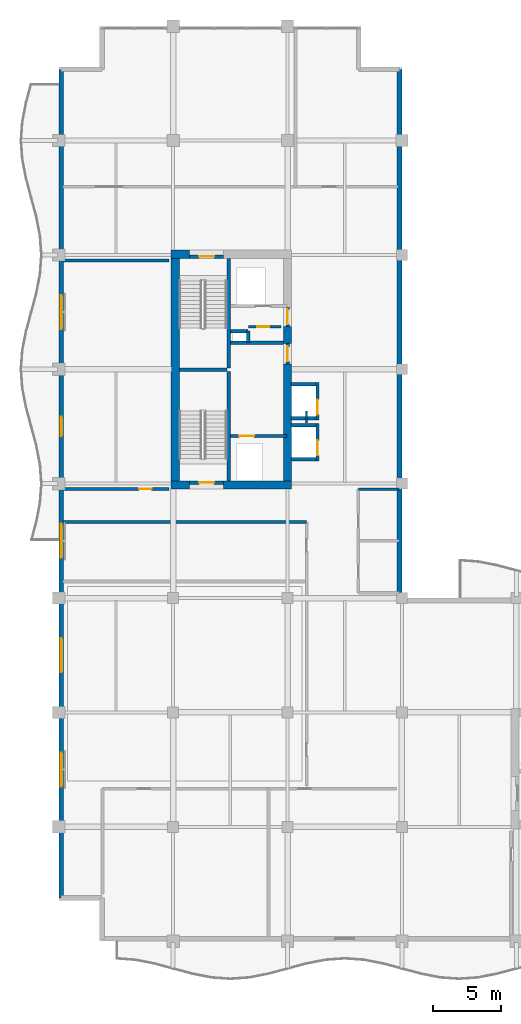
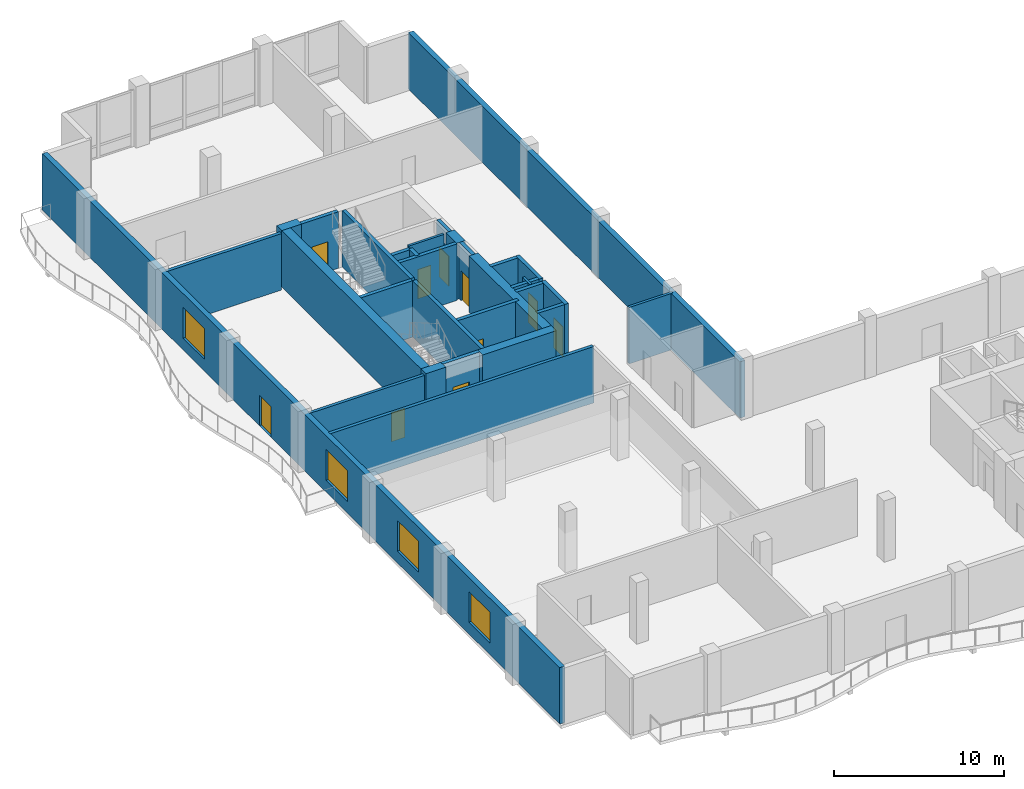
# One storey, part 10 of 15: 31 walls, 10 doors, 4 windows, 14 openings.
"""IFC4 building model written with IfcOpenShell, lengths in metres."""

from ifc_helpers import new_model, si_unit, direction, frame, frame_2d, origin, place, context, subcontext, project, spatial, rectangle, extrude, material, layer, layer_set, type_object, element, fill, save


model = new_model("IFC4")

# Units and contexts
model_context = context("Model", 3, precision=1e-05, world=origin(), true_north=direction((0.0, 1.0)))
body_context = subcontext(model_context, "Body", "Model", "MODEL_VIEW")
ifc_project = project(units=[si_unit("LENGTHUNIT", "METRE"), si_unit("AREAUNIT", "SQUARE_METRE"), si_unit("VOLUMEUNIT", "CUBIC_METRE"), si_unit("PLANEANGLEUNIT", "RADIAN"), si_unit("MASSUNIT", "GRAM", prefix="KILO")], contexts=[model_context])

# Site, building, storey
site_placement = place(None, origin())
site = spatial("IfcSite", under=ifc_project, at=site_placement, CompositionType="ELEMENT")
building_placement = place(site_placement, origin())
building = spatial("IfcBuilding", under=site, at=building_placement, Name="Koriwani Terraces Tower", CompositionType="ELEMENT")
storey_placement = place(building_placement, frame((0.0, 0.0, 290.39990234375)))
storey = spatial("IfcBuildingStorey", under=building, at=storey_placement, Name="L72", CompositionType="ELEMENT", Elevation=290.39990234375)

# Walls
ifc_material_1 = material(Name="Concrete C60/75", Category="concrete")
ifc_layer_1 = layer(ifc_material_1, 0.60009765625, Name="Concrete C60/75")
ifc_layer_set_1 = layer_set([ifc_layer_1], Name="Concrete C60/75")
wall_type_1 = type_object("IfcWallType", Name="WALL_CORE_RC_600", PredefinedType="SHEAR", material=ifc_layer_set_1)
wall_1_placement = place(storey_placement, frame((16.64990234375, 41.89990234375, 0.0), z_axis=(0.0, 0.0, 1.0), x_axis=(1.0, 0.0, 0.0)))
element("IfcWall", 1, at=wall_1_placement, inside=storey, type_object=wall_type_1, Name="L72 West Split Core Shear Wall S1", PredefinedType="SHEAR", context=body_context, shape_type="SweptSolid", body=[
    extrude(rectangle(XDim=1.35009765625, YDim=0.60009765625, at=frame_2d((0.675048828125, 0.0))), origin(), (0.0, 0.0, 1.0), 4.050048828125),
])
wall_2_placement = place(storey_placement, frame((20.5, 41.89990234375, 0.0), z_axis=(0.0, 0.0, 1.0), x_axis=(1.0, 0.0, 0.0)))
element("IfcWall", 2, at=wall_2_placement, inside=storey, type_object=wall_type_1, Name="L72 West Split Core Shear Wall S2", PredefinedType="SHEAR", context=body_context, shape_type="SweptSolid", body=[
    extrude(rectangle(XDim=5.0, YDim=0.60009765625, at=frame_2d((2.5, 0.0))), origin(), (0.0, 0.0, 1.0), 4.050048828125),
])
wall_3_placement = place(storey_placement, frame((16.64990234375, 58.85009765625, 0.0), z_axis=(0.0, 0.0, 1.0), x_axis=(1.0, 0.0, 0.0)))
element("IfcWall", 3, at=wall_3_placement, inside=storey, type_object=wall_type_1, Name="L72 West Split Core Shear Wall N1", PredefinedType="SHEAR", context=body_context, shape_type="SweptSolid", body=[
    extrude(rectangle(XDim=1.35009765625, YDim=0.60009765625, at=frame_2d((0.675048828125, 0.0))), origin(), (0.0, 0.0, 1.0), 4.050048828125),
])
wall_4_placement = place(storey_placement, frame((16.949951171875, 42.199951171875, 0.0), z_axis=(0.0, 0.0, 1.0), x_axis=(0.0, 1.0, 0.0)))
element("IfcWall", 4, at=wall_4_placement, inside=storey, type_object=wall_type_1, Name="L72 West Split Core Shear Wall W1", PredefinedType="SHEAR", context=body_context, shape_type="SweptSolid", body=[
    extrude(rectangle(XDim=16.35009765625, YDim=0.60009765625, at=frame_2d((8.175048828125, 0.0))), origin(), (0.0, 0.0, 1.0), 4.050048828125),
])
wall_5_placement = place(storey_placement, frame((25.199951171875, 42.199951171875, 0.0), z_axis=(0.0, 0.0, 1.0), x_axis=(0.0, 1.0, 0.0)))
element("IfcWall", 5, at=wall_5_placement, inside=storey, type_object=wall_type_1, Name="L72 West Split Core Shear Wall E1", PredefinedType="SHEAR", context=body_context, shape_type="SweptSolid", body=[
    extrude(rectangle(XDim=8.60009765625, YDim=0.60009765625, at=frame_2d((4.300048828125, 0.0))), origin(), (0.0, 0.0, 1.0), 4.050048828125),
])
wall_6_placement = place(storey_placement, frame((25.199951171875, 52.280029296875, 0.0), z_axis=(0.0, 0.0, 1.0), x_axis=(0.0, 1.0, 0.0)))
element("IfcWall", 6, at=wall_6_placement, inside=storey, type_object=wall_type_1, Name="L72 West Split Core Shear Wall E2", PredefinedType="SHEAR", context=body_context, shape_type="SweptSolid", body=[
    extrude(rectangle(XDim=1.27001953125, YDim=0.60009765625, at=frame_2d((0.635009765625, 0.0))), origin(), (0.0, 0.0, 1.0), 4.050048828125),
])

# Wall, opening, door
ifc_material_2 = material(Name="Autoclaved Cellular Concrete Blockwork", Category="masonry")
ifc_layer_2 = layer(ifc_material_2, 0.199951171875, Name="Autoclaved Cellular Concrete Blockwork")
ifc_layer_set_2 = layer_set([ifc_layer_2], Name="Autoclaved Cellular Concrete Blockwork")
wall_type_2 = type_object("IfcWallType", Name="WALL_CORRIDOR_200", PredefinedType="PARTITIONING", material=ifc_layer_set_2)
wall_7_placement = place(storey_placement, frame((8.699951171875, 41.60009765625, 0.0), z_axis=(0.0, 0.0, 1.0), x_axis=(1.0, 0.0, 0.0)))
wall_7 = element("IfcWall", 7, at=wall_7_placement, inside=storey, type_object=wall_type_2, Name="L72 Interior Wall WSKY-RECW1-L72", PredefinedType="PARTITIONING", context=body_context, shape_type="SweptSolid", body=[
    extrude(rectangle(XDim=7.800048828125, YDim=0.199951171875, at=frame_2d((3.89990234375, 0.0))), origin(), (0.0, 0.0, 1.0), 4.050048828125),
])
opening_1_placement = place(wall_7_placement, frame((5.60009765625, 0.0, 0.0)))
opening_1 = element("IfcOpeningElement", 8, at=opening_1_placement, cuts=wall_7, Name="Opening D-06", PredefinedType="OPENING", context=body_context, shape_type="SweptSolid", body=[
    extrude(rectangle(XDim=0.919921875, YDim=2.10009765625, at=frame_2d((0.4599609375, 1.050048828125))), frame((0.0, 0.10986328125, 0.0), z_axis=(0.0, -1.0, 0.0), x_axis=(1.0, 0.0, 0.0)), (0.0, 0.0, 1.0), 0.219970703125),
])
ifc_material_3 = material(Name="Architectural Oak Fire Door", Category="wood")
door_type_1 = type_object("IfcDoorType", Name="DOOR_ROOM_INT_920X2100", OperationType="NOTDEFINED", PredefinedType="DOOR", material=ifc_material_3)
door_1_placement = place(opening_1_placement, origin())
door_1 = element("IfcDoor", 9, at=door_1_placement, inside=storey, type_object=door_type_1, Name="L72 Private Summit Boardroom Door", OperationType="SINGLE_SWING_RIGHT", OverallHeight=2.10009765625, OverallWidth=0.919921875, PredefinedType="DOOR", context=body_context, shape_type="SweptSolid", body=[
    extrude(rectangle(XDim=0.919921875, YDim=2.10009765625, at=frame_2d((0.4599609375, 1.050048828125))), frame((0.0, 0.02490234375, 0.0), z_axis=(0.0, -1.0, 0.0), x_axis=(1.0, 0.0, 0.0)), (0.0, 0.0, 1.0), 0.050048828125),
])
fill(opening_1, door_1)

# Walls
ifc_layer_3 = layer(ifc_material_2, 0.219970703125, Name="Autoclaved Cellular Concrete Blockwork")
ifc_layer_set_3 = layer_set([ifc_layer_3], Name="Autoclaved Cellular Concrete Blockwork")
wall_type_3 = type_object("IfcWallType", Name="WALL_DEMISING_220", PredefinedType="PARTITIONING", material=ifc_layer_set_3)
wall_8_placement = place(storey_placement, frame((8.699951171875, 58.39990234375, 0.0), z_axis=(0.0, 0.0, 1.0), x_axis=(1.0, 0.0, 0.0)))
element("IfcWall", 10, at=wall_8_placement, inside=storey, type_object=wall_type_3, Name="L72 Interior Wall WSKY-RECW2-L72", PredefinedType="PARTITIONING", context=body_context, shape_type="SweptSolid", body=[
    extrude(rectangle(XDim=7.800048828125, YDim=0.219970703125, at=frame_2d((3.89990234375, 0.0))), origin(), (0.0, 0.0, 1.0), 4.050048828125),
])
wall_9_placement = place(storey_placement, frame((8.699951171875, 39.199951171875, 0.0), z_axis=(0.0, 0.0, 1.0), x_axis=(1.0, 0.0, 0.0)))
element("IfcWall", 11, at=wall_9_placement, inside=storey, type_object=wall_type_3, Name="L72 Interior Wall WSKY-WMN-L72", PredefinedType="PARTITIONING", context=body_context, shape_type="SweptSolid", body=[
    extrude(rectangle(XDim=17.900146484375, YDim=0.219970703125, at=frame_2d((8.9501953125, 0.0))), origin(), (0.0, 0.0, 1.0), 4.050048828125),
])

# Wall, openings, door, windows
ifc_material_4 = material(Name="Concrete C50/60", Category="concrete")
ifc_layer_4 = layer(ifc_material_4, 0.35009765625, Name="Concrete C50/60")
ifc_layer_set_4 = layer_set([ifc_layer_4], Name="Concrete C50/60")
wall_type_4 = type_object("IfcWallType", Name="WALL_EXT_BRUTALIST_350", PredefinedType="STANDARD", material=ifc_layer_set_4)
wall_10_placement = place(storey_placement, frame((8.574951171875, 11.574951171875, 0.0), z_axis=(0.0, 0.0, 1.0), x_axis=(0.0, 1.0, 0.0)))
wall_10 = element("IfcWall", 12, at=wall_10_placement, inside=storey, type_object=wall_type_4, Name="L72 Fair-Faced Brutalist Exterior Wall (W)", PredefinedType="STANDARD", context=body_context, shape_type="SweptSolid", body=[
    extrude(rectangle(XDim=60.85009765625, YDim=0.35009765625, at=frame_2d((30.425048828125, 0.0))), origin(), (0.0, 0.0, 1.0), 4.050048828125),
])
opening_2_placement = place(wall_10_placement, frame((33.925048828125, 0.0, 0.0)))
opening_2 = element("IfcOpeningElement", 13, at=opening_2_placement, cuts=wall_10, Name="Opening D-09", PredefinedType="OPENING", context=body_context, shape_type="SweptSolid", body=[
    extrude(rectangle(XDim=1.39990234375, YDim=2.199951171875, at=frame_2d((0.699951171875, 1.10009765625))), frame((0.0, 0.18505859375, 0.0), z_axis=(0.0, -1.0, 0.0), x_axis=(1.0, 0.0, 0.0)), (0.0, 0.0, 1.0), 0.3701171875),
])
opening_3_placement = place(wall_10_placement, frame((8.175048828125, 0.0, 0.85009765625)))
opening_3 = element("IfcOpeningElement", 14, at=opening_3_placement, cuts=wall_10, Name="Opening W-07", PredefinedType="OPENING", context=body_context, shape_type="SweptSolid", body=[
    extrude(rectangle(XDim=2.5, YDim=2.199951171875, at=frame_2d((1.25, 1.10009765625))), frame((0.0, 0.18505859375, 0.0), z_axis=(0.0, -1.0, 0.0), x_axis=(1.0, 0.0, 0.0)), (0.0, 0.0, 1.0), 0.3701171875),
])
opening_4_placement = place(wall_10_placement, frame((16.574951171875, 0.0, 0.85009765625)))
opening_4 = element("IfcOpeningElement", 15, at=opening_4_placement, cuts=wall_10, Name="Opening W-07", PredefinedType="OPENING", context=body_context, shape_type="SweptSolid", body=[
    extrude(rectangle(XDim=2.5, YDim=2.199951171875, at=frame_2d((1.25, 1.10009765625))), frame((0.0, 0.18505859375, 0.0), z_axis=(0.0, -1.0, 0.0), x_axis=(1.0, 0.0, 0.0)), (0.0, 0.0, 1.0), 0.3701171875),
])
opening_5_placement = place(wall_10_placement, frame((24.97509765625, 0.0, 0.85009765625)))
opening_5 = element("IfcOpeningElement", 16, at=opening_5_placement, cuts=wall_10, Name="Opening W-07", PredefinedType="OPENING", context=body_context, shape_type="SweptSolid", body=[
    extrude(rectangle(XDim=2.5, YDim=2.199951171875, at=frame_2d((1.25, 1.10009765625))), frame((0.0, 0.18505859375, 0.0), z_axis=(0.0, -1.0, 0.0), x_axis=(1.0, 0.0, 0.0)), (0.0, 0.0, 1.0), 0.3701171875),
])
opening_6_placement = place(wall_10_placement, frame((41.77490234375, 0.0, 0.85009765625)))
opening_6 = element("IfcOpeningElement", 17, at=opening_6_placement, cuts=wall_10, Name="Opening W-07", PredefinedType="OPENING", context=body_context, shape_type="SweptSolid", body=[
    extrude(rectangle(XDim=2.5, YDim=2.199951171875, at=frame_2d((1.25, 1.10009765625))), frame((0.0, 0.18505859375, 0.0), z_axis=(0.0, -1.0, 0.0), x_axis=(1.0, 0.0, 0.0)), (0.0, 0.0, 1.0), 0.3701171875),
])
ifc_material_5 = material(Name="Anodised Bronze Aluminium", Category="aluminium")
door_type_2 = type_object("IfcDoorType", Name="DOOR_BALCONY_GLAZED_1400X2200", OperationType="NOTDEFINED", PredefinedType="DOOR", material=ifc_material_5)
door_2_placement = place(opening_2_placement, origin())
door_2 = element("IfcDoor", 18, at=door_2_placement, inside=storey, type_object=door_type_2, Name="L72 West Balcony Glazed Door", OperationType="SINGLE_SWING_LEFT", OverallHeight=2.199951171875, OverallWidth=1.39990234375, PredefinedType="DOOR", context=body_context, shape_type="SweptSolid", body=[
    extrude(rectangle(XDim=1.39990234375, YDim=2.199951171875, at=frame_2d((0.699951171875, 1.10009765625))), frame((0.0, 0.02490234375, 0.0), z_axis=(0.0, -1.0, 0.0), x_axis=(1.0, 0.0, 0.0)), (0.0, 0.0, 1.0), 0.050048828125),
])
fill(opening_2, door_2)
ifc_material_6 = material(Name="Tempered Laminated Low-E Glass", Category="glass")
window_type = type_object("IfcWindowType", Name="WIN_SKY_LOUNGE_2500X2200", PartitioningType="SINGLE_PANEL", PredefinedType="WINDOW", material=ifc_material_6)
window_1_placement = place(opening_3_placement, origin())
window_1 = element("IfcWindow", 19, at=window_1_placement, inside=storey, type_object=window_type, Name="L72 Exterior Window (W-3)", OverallHeight=2.199951171875, OverallWidth=2.5, PartitioningType="SINGLE_PANEL", PredefinedType="WINDOW", context=body_context, shape_type="SweptSolid", body=[
    extrude(rectangle(XDim=2.5, YDim=2.199951171875, at=frame_2d((1.25, 1.10009765625))), frame((0.0, 0.030029296875, 0.0), z_axis=(0.0, -1.0, 0.0), x_axis=(1.0, 0.0, 0.0)), (0.0, 0.0, 1.0), 0.06005859375),
])
fill(opening_3, window_1)
window_2_placement = place(opening_4_placement, origin())
window_2 = element("IfcWindow", 20, at=window_2_placement, inside=storey, type_object=window_type, Name="L72 Exterior Window (W-6)", OverallHeight=2.199951171875, OverallWidth=2.5, PartitioningType="SINGLE_PANEL", PredefinedType="WINDOW", context=body_context, shape_type="SweptSolid", body=[
    extrude(rectangle(XDim=2.5, YDim=2.199951171875, at=frame_2d((1.25, 1.10009765625))), frame((0.0, 0.030029296875, 0.0), z_axis=(0.0, -1.0, 0.0), x_axis=(1.0, 0.0, 0.0)), (0.0, 0.0, 1.0), 0.06005859375),
])
fill(opening_4, window_2)
window_3_placement = place(opening_5_placement, origin())
window_3 = element("IfcWindow", 21, at=window_3_placement, inside=storey, type_object=window_type, Name="L72 Exterior Window (W-9)", OverallHeight=2.199951171875, OverallWidth=2.5, PartitioningType="SINGLE_PANEL", PredefinedType="WINDOW", context=body_context, shape_type="SweptSolid", body=[
    extrude(rectangle(XDim=2.5, YDim=2.199951171875, at=frame_2d((1.25, 1.10009765625))), frame((0.0, 0.030029296875, 0.0), z_axis=(0.0, -1.0, 0.0), x_axis=(1.0, 0.0, 0.0)), (0.0, 0.0, 1.0), 0.06005859375),
])
fill(opening_5, window_3)
window_4_placement = place(opening_6_placement, origin())
window_4 = element("IfcWindow", 22, at=window_4_placement, inside=storey, type_object=window_type, Name="L72 Exterior Window (W-15)", OverallHeight=2.199951171875, OverallWidth=2.5, PartitioningType="SINGLE_PANEL", PredefinedType="WINDOW", context=body_context, shape_type="SweptSolid", body=[
    extrude(rectangle(XDim=2.5, YDim=2.199951171875, at=frame_2d((1.25, 1.10009765625))), frame((0.0, 0.030029296875, 0.0), z_axis=(0.0, -1.0, 0.0), x_axis=(1.0, 0.0, 0.0)), (0.0, 0.0, 1.0), 0.06005859375),
])
fill(opening_6, window_4)

# Walls
wall_11_placement = place(storey_placement, frame((33.425048828125, 72.425048828125, 0.0), z_axis=(0.0, 0.0, 1.0), x_axis=(0.0, -1.0, 0.0)))
element("IfcWall", 23, at=wall_11_placement, inside=storey, type_object=wall_type_4, Name="L72 Fair-Faced Brutalist Exterior Wall (NW_IN)", PredefinedType="STANDARD", context=body_context, shape_type="SweptSolid", body=[
    extrude(rectangle(XDim=39.0, YDim=0.35009765625, at=frame_2d((19.5, 0.0))), origin(), (0.0, 0.0, 1.0), 4.050048828125),
])
ifc_material_7 = material(Name="Fire-Rated Acoustic Gypsum Partition", Category="masonry")
ifc_layer_5 = layer(ifc_material_7, 0.179931640625, Name="Fire-Rated Acoustic Gypsum Partition")
ifc_layer_set_5 = layer_set([ifc_layer_5], Name="Fire-Rated Acoustic Gypsum Partition")
wall_type_5 = type_object("IfcWallType", Name="WALL_PLUMBING_180", PredefinedType="PLUMBINGWALL", material=ifc_layer_set_5)
wall_12_placement = place(storey_placement, frame((30.39990234375, 41.60009765625, 0.0), z_axis=(0.0, 0.0, 1.0), x_axis=(1.0, 0.0, 0.0)))
element("IfcWall", 24, at=wall_12_placement, inside=storey, type_object=wall_type_5, Name="L72 Interior Wall WSKY-WCN-L72", PredefinedType="PLUMBINGWALL", context=body_context, shape_type="SweptSolid", body=[
    extrude(rectangle(XDim=3.0, YDim=0.179931640625, at=frame_2d((1.5, 0.0))), origin(), (0.0, 0.0, 1.0), 4.050048828125),
])
ifc_material_8 = material(Name="Concrete C40/50", Category="concrete")
ifc_layer_6 = layer(ifc_material_8, 0.25, Name="Concrete C40/50")
ifc_layer_set_6 = layer_set([ifc_layer_6], Name="Concrete C40/50")
wall_type_6 = type_object("IfcWallType", Name="WALL_SHAFT_RATED_250", PredefinedType="SOLIDWALL", material=ifc_layer_set_6)
for number, where, z_axis, x_axis, name in (
    (25, (20.875, 42.199951171875, 0.0), (0.0, 0.0, 1.0), (0.0, 1.0, 0.0), "L72 West Split Core Web Wall MID1"),
    (26, (20.875, 50.5, 0.0), (0.0, 0.0, 1.0), (0.0, 1.0, 0.0), "L72 West Split Core Web Wall MID2"),
):
    element("IfcWall", number, at=place(storey_placement, frame(where, z_axis=z_axis, x_axis=x_axis)), inside=storey, type_object=wall_type_6, Name=name, PredefinedType="SOLIDWALL", context=body_context, shape_type="SweptSolid", body=[
        extrude(rectangle(XDim=8.050048828125, YDim=0.25, at=frame_2d((4.02490234375, 0.0))), origin(), (0.0, 0.0, 1.0), 4.050048828125),
    ])
wall_13_placement = place(storey_placement, frame((17.25, 50.375, 0.0), z_axis=(0.0, 0.0, 1.0), x_axis=(1.0, 0.0, 0.0)))
element("IfcWall", 27, at=wall_13_placement, inside=storey, type_object=wall_type_6, Name="L72 West Split Core Stair Dividing Wall", PredefinedType="SOLIDWALL", context=body_context, shape_type="SweptSolid", body=[
    extrude(rectangle(XDim=3.5, YDim=0.25, at=frame_2d((1.75, 0.0))), origin(), (0.0, 0.0, 1.0), 4.050048828125),
])

# Wall, opening, door
wall_14_placement = place(storey_placement, frame((18.0, 42.074951171875, 0.0), z_axis=(0.0, 0.0, 1.0), x_axis=(1.0, 0.0, 0.0)))
wall_14 = element("IfcWall", 28, at=wall_14_placement, inside=storey, type_object=wall_type_6, Name="L72 Interior Wall WIN-CW-L72-STS", PredefinedType="SOLIDWALL", context=body_context, shape_type="SweptSolid", body=[
    extrude(rectangle(XDim=2.5, YDim=0.25, at=frame_2d((1.25, 0.0))), origin(), (0.0, 0.0, 1.0), 4.050048828125),
])
opening_7_placement = place(wall_14_placement, frame((0.699951171875, 0.0, 0.0)))
opening_7 = element("IfcOpeningElement", 29, at=opening_7_placement, cuts=wall_14, Name="Opening D-03", PredefinedType="OPENING", context=body_context, shape_type="SweptSolid", body=[
    extrude(rectangle(XDim=1.10009765625, YDim=2.14990234375, at=frame_2d((0.550048828125, 1.074951171875))), frame((0.0, 0.135009765625, 0.0), z_axis=(0.0, -1.0, 0.0), x_axis=(1.0, 0.0, 0.0)), (0.0, 0.0, 1.0), 0.27001953125),
])
ifc_material_9 = material(Name="Steel ASTM A572 Grade 50", Category="steel")
door_type_3 = type_object("IfcDoorType", Name="DOOR_STAIR_FIRE_1100X2150", OperationType="NOTDEFINED", PredefinedType="DOOR", material=ifc_material_9)
door_3_placement = place(opening_7_placement, origin())
door_3 = element("IfcDoor", 30, at=door_3_placement, inside=storey, type_object=door_type_3, Name="L72 Exit Stair ST-W1 Door", OperationType="SINGLE_SWING_RIGHT", OverallHeight=2.14990234375, OverallWidth=1.10009765625, PredefinedType="DOOR", context=body_context, shape_type="SweptSolid", body=[
    extrude(rectangle(XDim=1.10009765625, YDim=2.14990234375, at=frame_2d((0.550048828125, 1.074951171875))), frame((0.0, 0.02490234375, 0.0), z_axis=(0.0, -1.0, 0.0), x_axis=(1.0, 0.0, 0.0)), (0.0, 0.0, 1.0), 0.050048828125),
])
fill(opening_7, door_3)

wall_15_placement = place(storey_placement, frame((18.0, 58.675048828125, 0.0), z_axis=(0.0, 0.0, 1.0), x_axis=(1.0, 0.0, 0.0)))
wall_15 = element("IfcWall", 31, at=wall_15_placement, inside=storey, type_object=wall_type_6, Name="L72 Interior Wall WIN-CW-L72-STN", PredefinedType="SOLIDWALL", context=body_context, shape_type="SweptSolid", body=[
    extrude(rectangle(XDim=2.5, YDim=0.25, at=frame_2d((1.25, 0.0))), origin(), (0.0, 0.0, 1.0), 4.050048828125),
])
opening_8_placement = place(wall_15_placement, frame((0.699951171875, 0.0, 0.0)))
opening_8 = element("IfcOpeningElement", 32, at=opening_8_placement, cuts=wall_15, Name="Opening D-03", PredefinedType="OPENING", context=body_context, shape_type="SweptSolid", body=[
    extrude(rectangle(XDim=1.10009765625, YDim=2.14990234375, at=frame_2d((0.550048828125, 1.074951171875))), frame((0.0, 0.135009765625, 0.0), z_axis=(0.0, -1.0, 0.0), x_axis=(1.0, 0.0, 0.0)), (0.0, 0.0, 1.0), 0.27001953125),
])
door_4_placement = place(opening_8_placement, origin())
door_4 = element("IfcDoor", 33, at=door_4_placement, inside=storey, type_object=door_type_3, Name="L72 Exit Stair ST-W2 Door", OperationType="SINGLE_SWING_LEFT", OverallHeight=2.14990234375, OverallWidth=1.10009765625, PredefinedType="DOOR", context=body_context, shape_type="SweptSolid", body=[
    extrude(rectangle(XDim=1.10009765625, YDim=2.14990234375, at=frame_2d((0.550048828125, 1.074951171875))), frame((0.0, 0.02490234375, 0.0), z_axis=(0.0, -1.0, 0.0), x_axis=(1.0, 0.0, 0.0)), (0.0, 0.0, 1.0), 0.050048828125),
])
fill(opening_8, door_4)

wall_16_placement = place(storey_placement, frame((21.0, 45.5, 0.0), z_axis=(0.0, 0.0, 1.0), x_axis=(1.0, 0.0, 0.0)))
wall_16 = element("IfcWall", 34, at=wall_16_placement, inside=storey, type_object=wall_type_6, Name="L72 Interior Wall WIN-CW-L72-FE", PredefinedType="SOLIDWALL", context=body_context, shape_type="SweptSolid", body=[
    extrude(rectangle(XDim=4.14990234375, YDim=0.25, at=frame_2d((2.074951171875, 0.0))), origin(), (0.0, 0.0, 1.0), 4.050048828125),
])
opening_9_placement = place(wall_16_placement, frame((0.64990234375, 0.0, 0.0)))
opening_9 = element("IfcOpeningElement", 35, at=opening_9_placement, cuts=wall_16, Name="Opening LD-01", PredefinedType="OPENING", context=body_context, shape_type="SweptSolid", body=[
    extrude(rectangle(XDim=1.10009765625, YDim=2.14990234375, at=frame_2d((0.550048828125, 1.074951171875))), frame((0.0, 0.135009765625, 0.0), z_axis=(0.0, -1.0, 0.0), x_axis=(1.0, 0.0, 0.0)), (0.0, 0.0, 1.0), 0.27001953125),
])
door_type_4 = type_object("IfcDoorType", Name="DOOR_LIFT_LANDING_1100X2200", OperationType="NOTDEFINED", PredefinedType="DOOR", material=ifc_material_9)
door_5_placement = place(opening_9_placement, origin())
door_5 = element("IfcDoor", 36, at=door_5_placement, inside=storey, type_object=door_type_4, Name="L72 Firefighting Lift FE-01 Landing Door", OperationType="SLIDING_TO_LEFT", OverallHeight=2.14990234375, OverallWidth=1.10009765625, PredefinedType="DOOR", context=body_context, shape_type="SweptSolid", body=[
    extrude(rectangle(XDim=1.10009765625, YDim=2.14990234375, at=frame_2d((0.550048828125, 1.074951171875))), frame((0.0, 0.02490234375, 0.0), z_axis=(0.0, -1.0, 0.0), x_axis=(1.0, 0.0, 0.0)), (0.0, 0.0, 1.0), 0.050048828125),
])
fill(opening_9, door_5)

wall_17_placement = place(storey_placement, frame((25.199951171875, 50.800048828125, 0.0), z_axis=(0.0, 0.0, 1.0), x_axis=(0.0, 1.0, 0.0)))
wall_17 = element("IfcWall", 37, at=wall_17_placement, inside=storey, type_object=wall_type_6, Name="L72 Interior Wall WIN-CW-L72-EP", PredefinedType="SOLIDWALL", context=body_context, shape_type="SweptSolid", body=[
    extrude(rectangle(XDim=1.47998046875, YDim=0.25, at=frame_2d((0.739990234375, 0.0))), origin(), (0.0, 0.0, 1.0), 4.050048828125),
])
opening_10_placement = place(wall_17_placement, frame((0.179931640625, 0.0, 0.0)))
opening_10 = element("IfcOpeningElement", 38, at=opening_10_placement, cuts=wall_17, Name="Opening D-03", PredefinedType="OPENING", context=body_context, shape_type="SweptSolid", body=[
    extrude(rectangle(XDim=1.10009765625, YDim=2.14990234375, at=frame_2d((0.550048828125, 1.074951171875))), frame((0.0, 0.135009765625, 0.0), z_axis=(0.0, -1.0, 0.0), x_axis=(1.0, 0.0, 0.0)), (0.0, 0.0, 1.0), 0.27001953125),
])
door_6_placement = place(opening_10_placement, origin())
door_6 = element("IfcDoor", 39, at=door_6_placement, inside=storey, type_object=door_type_3, Name="L72 West Firefighting Lobby Door", OperationType="SINGLE_SWING_RIGHT", OverallHeight=2.14990234375, OverallWidth=1.10009765625, PredefinedType="DOOR", context=body_context, shape_type="SweptSolid", body=[
    extrude(rectangle(XDim=1.10009765625, YDim=2.14990234375, at=frame_2d((0.550048828125, 1.074951171875))), frame((0.0, 0.02490234375, 0.0), z_axis=(0.0, -1.0, 0.0), x_axis=(1.0, 0.0, 0.0)), (0.0, 0.0, 1.0), 0.050048828125),
])
fill(opening_10, door_6)

# Wall
wall_18_placement = place(storey_placement, frame((21.0, 52.340087890625, 0.0), z_axis=(0.0, 0.0, 1.0), x_axis=(1.0, 0.0, 0.0)))
element("IfcWall", 40, at=wall_18_placement, inside=storey, type_object=wall_type_6, Name="L72 Interior Wall WIN-CW-L72-FFN", PredefinedType="SOLIDWALL", context=body_context, shape_type="SweptSolid", body=[
    extrude(rectangle(XDim=3.89990234375, YDim=0.25, at=frame_2d((1.949951171875, 0.0))), origin(), (0.0, 0.0, 1.0), 4.050048828125),
])

# Wall, opening, door
wall_19_placement = place(storey_placement, frame((25.199951171875, 53.550048828125, 0.0), z_axis=(0.0, 0.0, 1.0), x_axis=(0.0, 1.0, 0.0)))
wall_19 = element("IfcWall", 41, at=wall_19_placement, inside=storey, type_object=wall_type_6, Name="L72 Interior Wall WIN-CW-L72-EP2", PredefinedType="SOLIDWALL", context=body_context, shape_type="SweptSolid", body=[
    extrude(rectangle(XDim=1.39990234375, YDim=0.25, at=frame_2d((0.699951171875, 0.0))), origin(), (0.0, 0.0, 1.0), 4.050048828125),
])
opening_11_placement = place(wall_19_placement, frame((0.14990234375, 0.0, 0.0)))
opening_11 = element("IfcOpeningElement", 42, at=opening_11_placement, cuts=wall_19, Name="Opening D-03", PredefinedType="OPENING", context=body_context, shape_type="SweptSolid", body=[
    extrude(rectangle(XDim=1.10009765625, YDim=2.14990234375, at=frame_2d((0.550048828125, 1.074951171875))), frame((0.0, 0.135009765625, 0.0), z_axis=(0.0, -1.0, 0.0), x_axis=(1.0, 0.0, 0.0)), (0.0, 0.0, 1.0), 0.27001953125),
])
door_7_placement = place(opening_11_placement, origin())
door_7 = element("IfcDoor", 43, at=door_7_placement, inside=storey, type_object=door_type_3, Name="L72 West Goods Lift Lobby Door", OperationType="SINGLE_SWING_LEFT", OverallHeight=2.14990234375, OverallWidth=1.10009765625, PredefinedType="DOOR", context=body_context, shape_type="SweptSolid", body=[
    extrude(rectangle(XDim=1.10009765625, YDim=2.14990234375, at=frame_2d((0.550048828125, 1.074951171875))), frame((0.0, 0.02490234375, 0.0), z_axis=(0.0, -1.0, 0.0), x_axis=(1.0, 0.0, 0.0)), (0.0, 0.0, 1.0), 0.050048828125),
])
fill(opening_11, door_7)

# Walls
wall_20_placement = place(storey_placement, frame((21.0, 53.199951171875, 0.0), z_axis=(0.0, 0.0, 1.0), x_axis=(1.0, 0.0, 0.0)))
element("IfcWall", 44, at=wall_20_placement, inside=storey, type_object=wall_type_6, Name="L72 Interior Wall WIN-CW-L72-RS1", PredefinedType="SOLIDWALL", context=body_context, shape_type="SweptSolid", body=[
    extrude(rectangle(XDim=1.300048828125, YDim=0.25, at=frame_2d((0.64990234375, 0.0))), origin(), (0.0, 0.0, 1.0), 4.050048828125),
])
wall_21_placement = place(storey_placement, frame((22.300048828125, 52.360107421875, 0.0), z_axis=(0.0, 0.0, 1.0), x_axis=(0.0, 1.0, 0.0)))
element("IfcWall", 45, at=wall_21_placement, inside=storey, type_object=wall_type_6, Name="L72 Interior Wall WIN-CW-L72-RS2", PredefinedType="SOLIDWALL", context=body_context, shape_type="SweptSolid", body=[
    extrude(rectangle(XDim=0.83984375, YDim=0.25, at=frame_2d((0.419921875, 0.0))), origin(), (0.0, 0.0, 1.0), 4.050048828125),
])

# Wall, opening, door
wall_22_placement = place(storey_placement, frame((27.39990234375, 43.675048828125, 0.0), z_axis=(0.0, 0.0, 1.0), x_axis=(0.0, 1.0, 0.0)))
wall_22 = element("IfcWall", 46, at=wall_22_placement, inside=storey, type_object=wall_type_6, Name="L72 Interior Wall WIN-LF-PE-H1-L72-F", PredefinedType="SOLIDWALL", context=body_context, shape_type="SweptSolid", body=[
    extrude(rectangle(XDim=2.75, YDim=0.25, at=frame_2d((1.375, 0.0))), origin(), (0.0, 0.0, 1.0), 4.050048828125),
])
opening_12_placement = place(wall_22_placement, frame((0.39990234375, 0.0, 0.0)))
opening_12 = element("IfcOpeningElement", 47, at=opening_12_placement, cuts=wall_22, Name="Opening LD-01", PredefinedType="OPENING", context=body_context, shape_type="SweptSolid", body=[
    extrude(rectangle(XDim=1.10009765625, YDim=2.14990234375, at=frame_2d((0.550048828125, 1.074951171875))), frame((0.0, 0.135009765625, 0.0), z_axis=(0.0, -1.0, 0.0), x_axis=(1.0, 0.0, 0.0)), (0.0, 0.0, 1.0), 0.27001953125),
])
door_8_placement = place(opening_12_placement, origin())
door_8 = element("IfcDoor", 48, at=door_8_placement, inside=storey, type_object=door_type_4, Name="L72 Passenger Lift PE-H1 Landing Door", OperationType="SLIDING_TO_LEFT", OverallHeight=2.14990234375, OverallWidth=1.10009765625, PredefinedType="DOOR", context=body_context, shape_type="SweptSolid", body=[
    extrude(rectangle(XDim=1.10009765625, YDim=2.14990234375, at=frame_2d((0.550048828125, 1.074951171875))), frame((0.0, 0.02490234375, 0.0), z_axis=(0.0, -1.0, 0.0), x_axis=(1.0, 0.0, 0.0)), (0.0, 0.0, 1.0), 0.050048828125),
])
fill(opening_12, door_8)

# Walls
for number, where, z_axis, x_axis, name in (
    (49, (25.449951171875, 43.800048828125, 0.0), (0.0, 0.0, 1.0), (1.0, 0.0, 0.0), "L72 Interior Wall WIN-LF-PE-H1-L72-S"),
    (50, (25.449951171875, 46.300048828125, 0.0), (0.0, 0.0, 1.0), (1.0, 0.0, 0.0), "L72 Interior Wall WIN-LF-PE-H1-L72-N"),
):
    element("IfcWall", number, at=place(storey_placement, frame(where, z_axis=z_axis, x_axis=x_axis)), inside=storey, type_object=wall_type_6, Name=name, PredefinedType="SOLIDWALL", context=body_context, shape_type="SweptSolid", body=[
        extrude(rectangle(XDim=1.824951171875, YDim=0.25, at=frame_2d((0.91259765625, 0.0))), origin(), (0.0, 0.0, 1.0), 4.050048828125),
    ])

# Wall, opening, door
wall_23_placement = place(storey_placement, frame((27.39990234375, 46.675048828125, 0.0), z_axis=(0.0, 0.0, 1.0), x_axis=(0.0, 1.0, 0.0)))
wall_23 = element("IfcWall", 51, at=wall_23_placement, inside=storey, type_object=wall_type_6, Name="L72 Interior Wall WIN-LF-PE-H2-L72-F", PredefinedType="SOLIDWALL", context=body_context, shape_type="SweptSolid", body=[
    extrude(rectangle(XDim=2.75, YDim=0.25, at=frame_2d((1.375, 0.0))), origin(), (0.0, 0.0, 1.0), 4.050048828125),
])
opening_13_placement = place(wall_23_placement, frame((0.39990234375, 0.0, 0.0)))
opening_13 = element("IfcOpeningElement", 52, at=opening_13_placement, cuts=wall_23, Name="Opening LD-01", PredefinedType="OPENING", context=body_context, shape_type="SweptSolid", body=[
    extrude(rectangle(XDim=1.10009765625, YDim=2.14990234375, at=frame_2d((0.550048828125, 1.074951171875))), frame((0.0, 0.135009765625, 0.0), z_axis=(0.0, -1.0, 0.0), x_axis=(1.0, 0.0, 0.0)), (0.0, 0.0, 1.0), 0.27001953125),
])
door_9_placement = place(opening_13_placement, origin())
door_9 = element("IfcDoor", 53, at=door_9_placement, inside=storey, type_object=door_type_4, Name="L72 Passenger Lift PE-H2 Landing Door", OperationType="SLIDING_TO_LEFT", OverallHeight=2.14990234375, OverallWidth=1.10009765625, PredefinedType="DOOR", context=body_context, shape_type="SweptSolid", body=[
    extrude(rectangle(XDim=1.10009765625, YDim=2.14990234375, at=frame_2d((0.550048828125, 1.074951171875))), frame((0.0, 0.02490234375, 0.0), z_axis=(0.0, -1.0, 0.0), x_axis=(1.0, 0.0, 0.0)), (0.0, 0.0, 1.0), 0.050048828125),
])
fill(opening_13, door_9)

# Walls
for number, where, z_axis, x_axis, name in (
    (54, (25.449951171875, 46.800048828125, 0.0), (0.0, 0.0, 1.0), (1.0, 0.0, 0.0), "L72 Interior Wall WIN-LF-PE-H2-L72-S"),
    (55, (25.449951171875, 49.300048828125, 0.0), (0.0, 0.0, 1.0), (1.0, 0.0, 0.0), "L72 Interior Wall WIN-LF-PE-H2-L72-N"),
):
    element("IfcWall", number, at=place(storey_placement, frame(where, z_axis=z_axis, x_axis=x_axis)), inside=storey, type_object=wall_type_6, Name=name, PredefinedType="SOLIDWALL", context=body_context, shape_type="SweptSolid", body=[
        extrude(rectangle(XDim=1.824951171875, YDim=0.25, at=frame_2d((0.91259765625, 0.0))), origin(), (0.0, 0.0, 1.0), 4.050048828125),
    ])

# Wall, opening, door
ifc_layer_7 = layer(ifc_material_7, 0.159912109375, Name="Fire-Rated Acoustic Gypsum Partition")
ifc_layer_set_7 = layer_set([ifc_layer_7], Name="Fire-Rated Acoustic Gypsum Partition")
wall_type_7 = type_object("IfcWallType", Name="WALL_SUITE_160", PredefinedType="PARTITIONING", material=ifc_layer_set_7)
wall_24_placement = place(storey_placement, frame((22.320068359375, 53.52001953125, 0.0), z_axis=(0.0, 0.0, 1.0), x_axis=(1.0, 0.0, 0.0)))
wall_24 = element("IfcWall", 56, at=wall_24_placement, inside=storey, type_object=wall_type_7, Name="L72 Interior Wall WIN-CW-L72-SV0", PredefinedType="PARTITIONING", context=body_context, shape_type="SweptSolid", body=[
    extrude(rectangle(XDim=2.39990234375, YDim=0.159912109375, at=frame_2d((1.199951171875, 0.0))), origin(), (0.0, 0.0, 1.0), 4.050048828125),
])
opening_14_placement = place(wall_24_placement, frame((0.64990234375, 0.0, 0.0)))
opening_14 = element("IfcOpeningElement", 57, at=opening_14_placement, cuts=wall_24, Name="Opening D-07", PredefinedType="OPENING", context=body_context, shape_type="SweptSolid", body=[
    extrude(rectangle(XDim=0.89990234375, YDim=2.10009765625, at=frame_2d((0.449951171875, 1.050048828125))), frame((0.0, 0.08984375, 0.0), z_axis=(0.0, -1.0, 0.0), x_axis=(1.0, 0.0, 0.0)), (0.0, 0.0, 1.0), 0.179931640625),
])
door_type_5 = type_object("IfcDoorType", Name="DOOR_BATH_INT_900X2100", OperationType="NOTDEFINED", PredefinedType="DOOR", material=ifc_material_3)
door_10_placement = place(opening_14_placement, origin())
door_10 = element("IfcDoor", 58, at=door_10_placement, inside=storey, type_object=door_type_5, Name="L72 West Electrical Switch Room Door", OperationType="SINGLE_SWING_RIGHT", OverallHeight=2.10009765625, OverallWidth=0.89990234375, PredefinedType="DOOR", context=body_context, shape_type="SweptSolid", body=[
    extrude(rectangle(XDim=0.89990234375, YDim=2.10009765625, at=frame_2d((0.449951171875, 1.050048828125))), frame((0.0, 0.02490234375, 0.0), z_axis=(0.0, -1.0, 0.0), x_axis=(1.0, 0.0, 0.0)), (0.0, 0.0, 1.0), 0.050048828125),
])
fill(opening_14, door_10)

# Wall
wall_25_placement = place(storey_placement, frame((26.60009765625, 46.4599609375, 0.0), z_axis=(0.0, 0.0, 1.0), x_axis=(0.0, 1.0, 0.0)))
element("IfcWall", 59, at=wall_25_placement, inside=storey, type_object=wall_type_7, Name="L72 Interior Wall WIN-LF-PEH12-MID-L72", PredefinedType="PARTITIONING", context=body_context, shape_type="SweptSolid", body=[
    extrude(rectangle(XDim=0.880126953125, YDim=0.159912109375, at=frame_2d((0.43994140625, 0.0))), origin(), (0.0, 0.0, 1.0), 4.050048828125),
])

save(model, "model.ifc")
